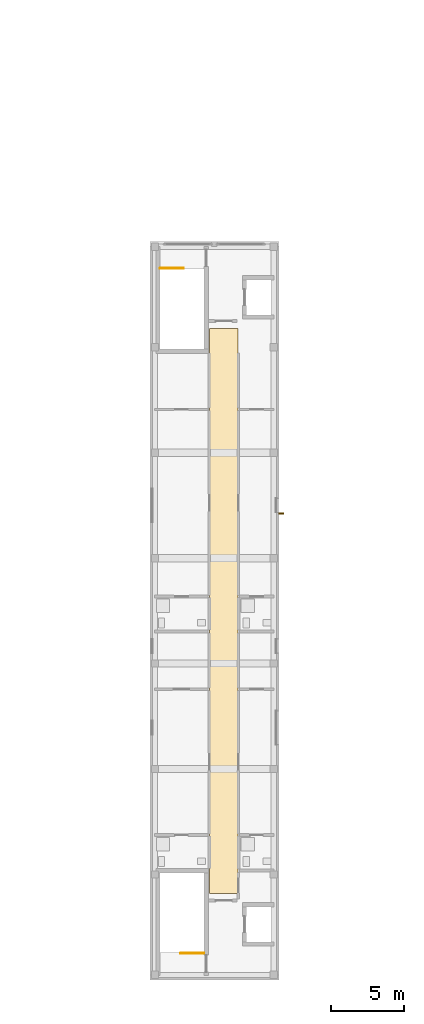
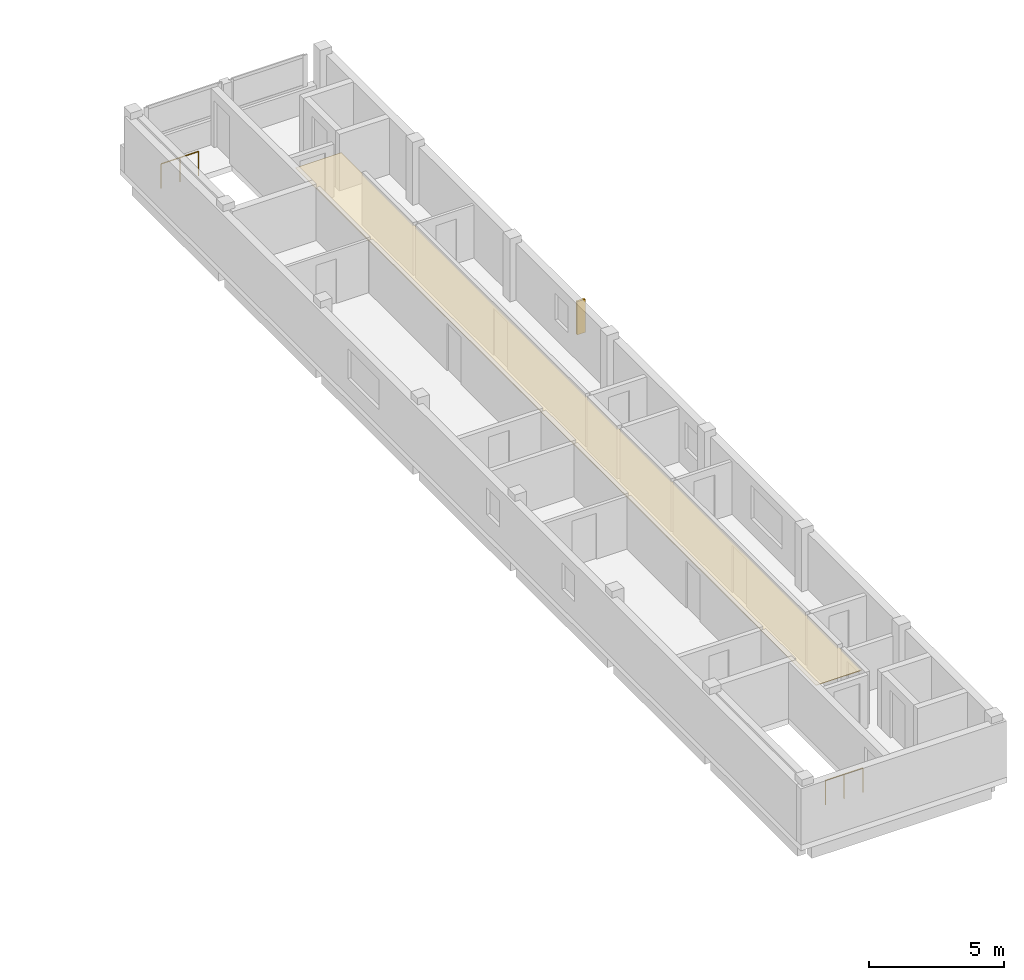
# One storey, part 23 of 28: 2 railings, 1 covering, 1 shading device.
"""IFC4 building model written with IfcOpenShell, lengths in metres."""

import ifcopenshell
import ifcopenshell.guid

model = None  # the IFC model being written
_history = None  # IfcOwnerHistory: only IFC2X3 demands one
_inside = {}  # id of a spatial element -> (the spatial element, [elements in it])
_under = {}  # id of a project, library or spatial element -> (it, [spatial elements below it])
_declared = {}  # id of a project -> (the project, [libraries it declares])
_typed = {}  # id of a type object -> (the type object, [elements of that type])
_made_of = {}  # id of a material, layer set ... -> (it, [elements and type objects made of it])


def new_model(schema):
    """Start an empty IFC model of exactly this schema.

    Asked for "IFC4X3", IfcOpenShell would pick the latest addendum, in which some entities
    have other attributes; the version numbers below select the first issue.
    IFC2X3 requires an IfcOwnerHistory on every rooted entity: one is made here for all.
    """
    global model, _history
    if schema == "IFC4X3":
        model = ifcopenshell.file(schema_version=(4, 3, 0, 0))
    else:
        model = ifcopenshell.file(schema=schema)
    _inside.clear()
    _under.clear()
    _declared.clear()
    _typed.clear()
    _made_of.clear()
    _history = None
    if model.schema == "IFC2X3":
        org = make("IfcOrganization", Name="unknown")
        user = make(
            "IfcPersonAndOrganization",
            ThePerson=make("IfcPerson", FamilyName="unknown"),
            TheOrganization=org,
        )
        app = make(
            "IfcApplication",
            ApplicationDeveloper=org,
            Version="unknown",
            ApplicationFullName="unknown",
            ApplicationIdentifier="unknown",
        )
        _history = make(
            "IfcOwnerHistory",
            OwningUser=user,
            OwningApplication=app,
            ChangeAction="ADDED",
            CreationDate=0,
        )
    return model


def make(cls, **values):
    """One entity of the class cls with the attributes given. An attribute that is None is left unset."""
    return model.create_entity(
        cls, **{name: value for name, value in values.items() if value is not None}
    )


def rooted(cls, **values):
    """An entity with a GlobalId (a new one), such as an element, a storey or a relation."""
    return make(cls, GlobalId=ifcopenshell.guid.new(), OwnerHistory=_history, **values)


def si_unit(unit_type, name, prefix=None):
    """IfcSIUnit, for example si_unit("LENGTHUNIT", "METRE", prefix="MILLI")."""
    return make("IfcSIUnit", UnitType=unit_type, Prefix=prefix, Name=name)


def derived_unit(unit_type, elements):
    """IfcDerivedUnit: a product of units, each with its exponent."""
    return make(
        "IfcDerivedUnit",
        Elements=[
            make("IfcDerivedUnitElement", Unit=unit, Exponent=power)
            for unit, power in elements
        ],
        UnitType=unit_type,
    )


def assignment(units):
    """IfcUnitAssignment: the units of a project."""
    return None if units is None else make("IfcUnitAssignment", Units=units)


def point(xyz):
    """IfcCartesianPoint."""
    return None if xyz is None else make("IfcCartesianPoint", Coordinates=xyz)


def direction(xyz):
    """IfcDirection."""
    return None if xyz is None else make("IfcDirection", DirectionRatios=xyz)


def frame(location, z_axis=None, x_axis=None):
    """IfcAxis2Placement3D, a coordinate frame: its origin and axes. An axis left out is left unset."""
    return make(
        "IfcAxis2Placement3D",
        Location=point(location),
        Axis=direction(z_axis),
        RefDirection=direction(x_axis),
    )


def frame_2d(location, x_axis=None):
    """IfcAxis2Placement2D, a coordinate frame in the plane: its origin and x axis."""
    return make(
        "IfcAxis2Placement2D", Location=point(location), RefDirection=direction(x_axis)
    )


def origin():
    """The frame at (0, 0, 0) with its axes left unset."""
    return frame((0.0, 0.0, 0.0))


def origin_2d():
    """The frame at (0, 0) in the plane with its x axis left unset."""
    return frame_2d((0.0, 0.0))


def place(relative_to, where):
    """IfcLocalPlacement: puts the frame where relative to a parent placement (None: the world)."""
    return make(
        "IfcLocalPlacement", PlacementRelTo=relative_to, RelativePlacement=where
    )


def context(
    kind, dimensions, precision=None, world=None, true_north=None, identifier=None
):
    """IfcGeometricRepresentationContext, for example the 3D "Model" context."""
    return make(
        "IfcGeometricRepresentationContext",
        ContextIdentifier=identifier,
        ContextType=kind,
        CoordinateSpaceDimension=dimensions,
        Precision=precision,
        WorldCoordinateSystem=world,
        TrueNorth=true_north,
    )


def subcontext(parent, identifier, kind, view, scale=None):
    """IfcGeometricRepresentationSubContext, for example "Body" below "Model"."""
    return make(
        "IfcGeometricRepresentationSubContext",
        ContextIdentifier=identifier,
        ContextType=kind,
        ParentContext=parent,
        TargetScale=scale,
        TargetView=view,
    )


def project(units=None, contexts=None):
    """IfcProject with its units and contexts."""
    return rooted(
        "IfcProject",
        Name="project",
        RepresentationContexts=contexts,
        UnitsInContext=assignment(units),
    )


def spatial(cls, under=None, at=None, **own):
    """A site, building, storey or space (cls), placed at a placement, below another one or the project."""
    s = rooted(cls, ObjectPlacement=at, **own)
    if under is not None:
        _under.setdefault(under.id(), (under, []))[1].append(s)
    return s


def polyline(points):
    """IfcPolyline through the points."""
    return make("IfcPolyline", Points=[point(p) for p in points])


def profile(cls, at=None, kind="AREA", **sizes):
    """A parametric profile (cls). Its sizes go by their IFC names, for example OverallWidth=200.0."""
    return make(cls, ProfileType=kind, Position=at, **sizes)


def rectangle(**sizes):
    """IfcRectangleProfileDef."""
    return profile("IfcRectangleProfileDef", **sizes)


def circle(**sizes):
    """IfcCircleProfileDef."""
    return profile("IfcCircleProfileDef", **sizes)


def outline(outer, holes=None, kind="AREA"):
    """IfcArbitraryClosedProfileDef: a profile drawn as a closed curve; with holes, ...WithVoids."""
    if holes is None:
        return make("IfcArbitraryClosedProfileDef", ProfileType=kind, OuterCurve=outer)
    return make(
        "IfcArbitraryProfileDefWithVoids",
        ProfileType=kind,
        OuterCurve=outer,
        InnerCurves=holes,
    )


def extrude(swept, where, along, depth):
    """IfcExtrudedAreaSolid: the profile swept, set in the frame where, extruded along a direction by depth."""
    return make(
        "IfcExtrudedAreaSolid",
        SweptArea=swept,
        Position=where,
        ExtrudedDirection=direction(along),
        Depth=depth,
    )


def shape(context_of_items, identifier, shape_type, items):
    """IfcShapeRepresentation: the items that make up one representation, for example the "Body"."""
    return make(
        "IfcShapeRepresentation",
        ContextOfItems=context_of_items,
        RepresentationIdentifier=identifier,
        RepresentationType=shape_type,
        Items=items,
    )


def material(Name=None, Category=None):
    """IfcMaterial."""
    return make("IfcMaterial", Name=Name, Category=Category)


def layer(
    of_material, thickness, ventilated=None, Name=None, Category=None, Priority=None
):
    """IfcMaterialLayer: one layer of a wall or slab, of a material (None: an air gap)."""
    return make(
        "IfcMaterialLayer",
        Material=of_material,
        LayerThickness=thickness,
        IsVentilated=ventilated,
        Name=Name,
        Category=Category,
        Priority=Priority,
    )


def layer_set(layers, Name=None):
    """IfcMaterialLayerSet."""
    return make("IfcMaterialLayerSet", MaterialLayers=layers, LayerSetName=Name)


def made_of(thing, what):
    """Note that an element or type object is made of a material, layer set ...; save() writes the relation."""
    if what is not None:
        _made_of.setdefault(what.id(), (what, []))[1].append(thing)
    return thing


def type_object(cls, material=None, **own):
    """A type object (cls), such as IfcWallType, which elements share."""
    return made_of(rooted(cls, **own), material)


def element(
    cls,
    number,
    at=None,
    inside=None,
    cuts=None,
    type_object=None,
    material=None,
    context=None,
    identifier="Body",
    shape_type=None,
    held_by="IfcProductDefinitionShape",
    body=None,
    shapes=None,
    **own,
):
    """One element of the class cls, such as IfcWall. Its Tag is "e" and its number.

    at: its placement. inside: the storey or other place that contains it. cuts: it is an
    opening in that element (IfcRelVoidsElement). A single representation is given by context,
    identifier, shape_type and body (its items); several are given by shapes. held_by: the class
    of the entity that holds the representations. save() writes the other relations.
    """
    e = rooted(cls, Tag="e%d" % number, ObjectPlacement=at, **own)
    if body is not None:
        shapes = [shape(context, identifier, shape_type, body)]
    if shapes is not None:
        e.Representation = make(held_by, Representations=shapes)
    if inside is not None:
        _inside.setdefault(inside.id(), (inside, []))[1].append(e)
    if cuts is not None:
        rooted(
            "IfcRelVoidsElement", RelatingBuildingElement=cuts, RelatedOpeningElement=e
        )
    if type_object is not None:
        _typed.setdefault(type_object.id(), (type_object, []))[1].append(e)
    return made_of(e, material)


def aggregate(whole, parts):
    """IfcRelAggregates: a whole, such as a stair, and the parts it consists of."""
    return rooted("IfcRelAggregates", RelatingObject=whole, RelatedObjects=parts)


def save(model, path):
    """Write the relations noted so far, then the file.

    IfcRelAggregates (storeys below a building ...), IfcRelContainedInSpatialStructure (elements
    in a storey), IfcRelDefinesByType, IfcRelAssociatesMaterial and IfcRelDeclares: one each for
    every whole, place, type object, material and project.
    """
    for whole, parts in _under.values():
        aggregate(whole, parts)
    for where, things in _inside.values():
        rooted(
            "IfcRelContainedInSpatialStructure",
            RelatedElements=things,
            RelatingStructure=where,
        )
    for kind, things in _typed.values():
        rooted("IfcRelDefinesByType", RelatedObjects=things, RelatingType=kind)
    for what, things in _made_of.values():
        rooted("IfcRelAssociatesMaterial", RelatedObjects=things, RelatingMaterial=what)
    for by, libraries in _declared.values():
        rooted("IfcRelDeclares", RelatingContext=by, RelatedDefinitions=libraries)
    model.write(path)


model = new_model("IFC4")

# Units and contexts
model_context = context("Model", 3, precision=1e-05, world=origin(), true_north=direction((0.0, 1.0)))
body_context = subcontext(model_context, "Body", "Model", "MODEL_VIEW")
ifc_project = project(units=[si_unit("LENGTHUNIT", "METRE"), si_unit("AREAUNIT", "SQUARE_METRE"), si_unit("VOLUMEUNIT", "CUBIC_METRE"), si_unit("PLANEANGLEUNIT", "RADIAN"), si_unit("MASSUNIT", "GRAM", prefix="KILO"), derived_unit("THERMALTRANSMITTANCEUNIT", [(si_unit("MASSUNIT", "GRAM", prefix="KILO"), 1), (si_unit("TIMEUNIT", "SECOND"), -3), (si_unit("THERMODYNAMICTEMPERATUREUNIT", "KELVIN"), -1)])], contexts=[model_context])

# Site, building, storey
site_placement = place(None, origin())
site = spatial("IfcSite", under=ifc_project, at=site_placement, CompositionType="ELEMENT")
building_placement = place(site_placement, origin())
building = spatial("IfcBuilding", under=site, at=building_placement, Name="Ochrekiln Boulevard Commons", CompositionType="ELEMENT")
storey_placement = place(building_placement, frame((0.0, 0.0, 34.125)))
storey = spatial("IfcBuildingStorey", under=building, at=storey_placement, Name="L10", CompositionType="ELEMENT", Elevation=34.125)

# Covering
ifc_material_1 = material(Name="Mineral-fibre acoustic ceiling tile")
ifc_layer = layer(ifc_material_1, 0.02490234375)
ifc_layer_set = layer_set([ifc_layer], Name="Mineral-fibre acoustic ceiling tile")
covering_type = type_object("IfcCoveringType", Name="COV-CEIL-AC", PredefinedType="CEILING", material=ifc_layer_set)
covering_placement = place(storey_placement, frame((0.0, 0.0, 2.199951171875)))
element("IfcCovering", 1, at=covering_placement, inside=storey, type_object=covering_type, Name="L10 Acoustic Corridor Ceiling 68", PredefinedType="CEILING", context=body_context, shape_type="SweptSolid", body=[
    extrude(outline(polyline([(159.8701171875, 5.919921875), (161.830078125, 5.919921875), (161.830078125, 44.47998046875), (159.8701171875, 44.47998046875), (159.8701171875, 5.919921875)])), origin(), (0.0, 0.0, 1.0), 0.025146484375),
])

# Railings
ifc_material_2 = material(Name="Brushed stainless steel 316 tubular railing", Category="steel")
railing_type = type_object("IfcRailingType", Name="RLG-STR-1120", PredefinedType="BALUSTRADE", material=ifc_material_2)
railing_1_placement = place(storey_placement, frame((159.5, 1.820068359375, 0.0)))
element("IfcRailing", 2, at=railing_1_placement, inside=storey, type_object=railing_type, Name="L10 ST-C1 top well guard 1", PredefinedType="BALUSTRADE", context=body_context, shape_type="SweptSolid", body=[
    extrude(circle(Radius=0.02392578125, at=origin_2d()), frame((0.0, 0.0, 1.09619140625), z_axis=(-1.0, 0.0, 0.0), x_axis=(0.0, -1.0, 0.0)), (0.0, 0.0, 1.0), 1.60009765625),
    extrude(circle(Radius=0.02099609375, at=origin_2d()), origin(), (0.0, 0.0, 1.0), 1.072021484375),
    extrude(circle(Radius=0.02099609375, at=origin_2d()), frame((-0.800048828125, 0.0, 0.0)), (0.0, 0.0, 1.0), 1.072021484375),
    extrude(circle(Radius=0.02099609375, at=origin_2d()), frame((-1.60009765625, 0.0, 0.0)), (0.0, 0.0, 1.0), 1.072021484375),
])
railing_2_placement = place(storey_placement, frame((156.5, 48.580078125, 0.0)))
element("IfcRailing", 3, at=railing_2_placement, inside=storey, type_object=railing_type, Name="L10 ST-C2 top well guard 1", PredefinedType="BALUSTRADE", context=body_context, shape_type="SweptSolid", body=[
    extrude(circle(Radius=0.02392578125, at=origin_2d()), frame((0.0, 0.0, 1.09619140625), z_axis=(1.0, 0.0, 0.0), x_axis=(0.0, 1.0, 0.0)), (0.0, 0.0, 1.0), 1.60009765625),
    extrude(circle(Radius=0.02099609375, at=origin_2d()), origin(), (0.0, 0.0, 1.0), 1.072021484375),
    extrude(circle(Radius=0.02099609375, at=origin_2d()), frame((0.800048828125, 0.0, 0.0)), (0.0, 0.0, 1.0), 1.072021484375),
    extrude(circle(Radius=0.02099609375, at=origin_2d()), frame((1.60009765625, 0.0, 0.0)), (0.0, 0.0, 1.0), 1.072021484375),
])

# Shading device
ifc_material_3 = material(Name="Glazed architectural terracotta ASTM C1405", Category="masonry")
shading_device_type = type_object("IfcShadingDeviceType", Name="SHD-FIN-TERRA", PredefinedType="JALOUSIE", material=ifc_material_3)
shading_device_placement = place(storey_placement, frame((164.77001953125, 31.844970703125, 0.699951171875), z_axis=(0.0, 0.0, 1.0), x_axis=(1.0, 0.0, 0.0)))
element("IfcShadingDevice", 4, at=shading_device_placement, inside=storey, type_object=shading_device_type, Name="Terracotta Solar Shading Fin SF-01 (70)", PredefinedType="JALOUSIE", context=body_context, shape_type="SweptSolid", body=[
    extrude(rectangle(XDim=0.35009765625, YDim=0.080078125, at=origin_2d()), origin(), (0.0, 0.0, 1.0), 1.5),
])

save(model, "model.ifc")
